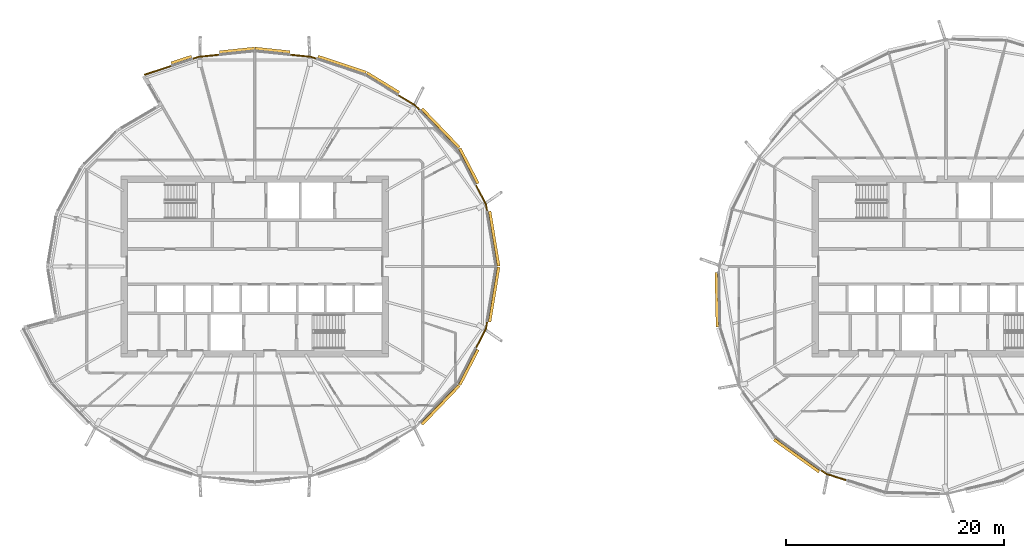
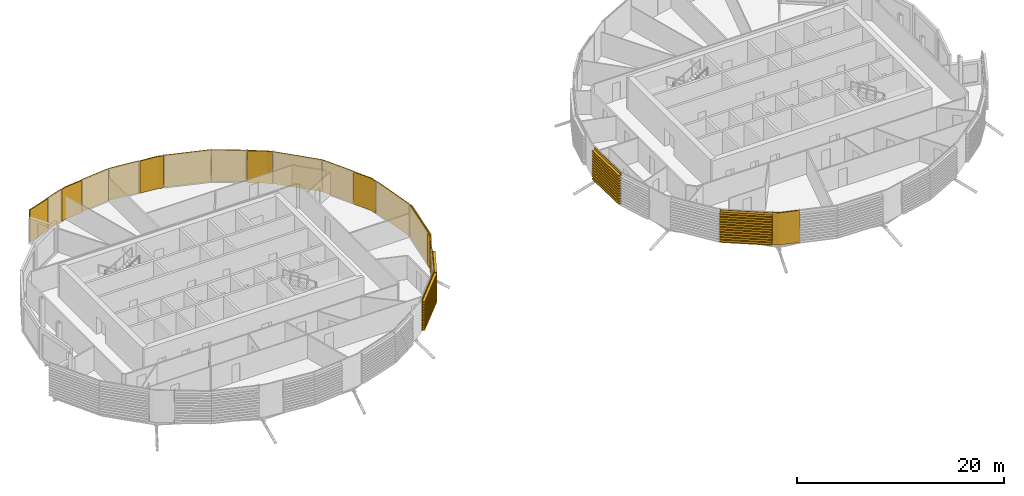
# One storey, part 33 of 36: 20 coverings.
"""IFC4 building model written with IfcOpenShell, lengths in metres."""

from ifc_helpers import new_model, si_unit, direction, frame, origin, place, context, subcontext, project, spatial, polyline, outline, extrude, material, layer, layer_set, material_profile, profile_set, type_object, element, save


model = new_model("IFC4")

# Units and contexts
model_context = context("Model", 3, precision=1e-05, world=origin(), true_north=direction((0.0, 1.0)))
body_context = subcontext(model_context, "Body", "Model", "MODEL_VIEW")
ifc_project = project(units=[si_unit("LENGTHUNIT", "METRE"), si_unit("AREAUNIT", "SQUARE_METRE"), si_unit("VOLUMEUNIT", "CUBIC_METRE"), si_unit("PLANEANGLEUNIT", "RADIAN"), si_unit("MASSUNIT", "GRAM", prefix="KILO")], contexts=[model_context])

# Site, building, storey
site_placement = place(None, origin())
site = spatial("IfcSite", under=ifc_project, at=site_placement, CompositionType="ELEMENT")
building_placement = place(site_placement, origin())
building = spatial("IfcBuilding", under=site, at=building_placement, Name="Rimbun Link Towers", CompositionType="ELEMENT")
storey_placement = place(building_placement, frame((0.0, 0.0, 174.10009765625)))
storey = spatial("IfcBuildingStorey", under=building, at=storey_placement, Name="L42", CompositionType="ELEMENT", Elevation=174.10009765625)

# Coverings
ifc_material_1 = material(Name="Terracotta", Category="masonry")
ifc_layer = layer(ifc_material_1, 0.1201171875)
ifc_layer_set = layer_set([ifc_layer], Name="LINK PIER terracotta cladding 120")
covering_type_1 = type_object("IfcCoveringType", Name="LINK PIER terracotta cladding 120", PredefinedType="CLADDING", material=ifc_layer_set)
covering_1_placement = place(storey_placement, origin())
element("IfcCovering", 1, at=covering_1_placement, inside=storey, type_object=covering_type_1, Name="LINK PIER cladding", PredefinedType="CLADDING", context=body_context, shape_type="SweptSolid", body=[
    extrude(outline(polyline([(-11.4931640625, 7.470458984375), (-10.56494140625, 5.676513671875), (-10.46435546875, 5.064697265625), (-10.345947265625, 5.084228515625), (-10.449462890625, 5.71484375), (-11.38671875, 7.525634765625), (-11.4931640625, 7.470458984375)])), origin(), (0.0, 0.0, 1.0), 3.7998046875),
])
covering_2_placement = place(storey_placement, origin())
element("IfcCovering", 2, at=covering_2_placement, inside=storey, type_object=covering_type_1, Name="LINK PIER cladding", PredefinedType="CLADDING", context=body_context, shape_type="SweptSolid", body=[
    extrude(outline(polyline([(-18.6123046875, 15.709716796875), (-17.018798828125, 14.731201171875), (-16.624267578125, 14.31982421875), (-16.53759765625, 14.40283203125), (-16.94287109375, 14.825439453125), (-18.549560546875, 15.81201171875), (-18.6123046875, 15.709716796875)])), origin(), (0.0, 0.0, 1.0), 3.7998046875),
])
covering_3_placement = place(storey_placement, origin())
element("IfcCovering", 3, at=covering_3_placement, inside=storey, type_object=covering_type_1, Name="LINK PIER cladding", PredefinedType="CLADDING", context=body_context, shape_type="SweptSolid", body=[
    extrude(outline(polyline([(-28.512939453125, 19.40771484375), (-26.603515625, 19.20654296875), (-26.0625, 19.02734375), (-26.02490234375, 19.14111328125), (-26.578125, 19.324462890625), (-28.50048828125, 19.527099609375), (-28.512939453125, 19.40771484375)])), origin(), (0.0, 0.0, 1.0), 3.7998046875),
])
covering_4_placement = place(storey_placement, origin())
element("IfcCovering", 4, at=covering_4_placement, inside=storey, type_object=covering_type_1, Name="LINK PIER cladding", PredefinedType="CLADDING", context=body_context, shape_type="SweptSolid", body=[
    extrude(outline(polyline([(-41.856201171875, 17.56298828125), (-39.35009765625, 18.3935546875), (-39.387939453125, 18.50732421875), (-41.893798828125, 17.677001953125), (-41.856201171875, 17.56298828125)])), origin(), (0.0, 0.0, 1.0), 3.7998046875),
])
covering_5_placement = place(storey_placement, origin())
element("IfcCovering", 5, at=covering_5_placement, inside=storey, type_object=covering_type_1, Name="LINK PIER cladding", PredefinedType="CLADDING", context=body_context, shape_type="SweptSolid", body=[
    extrude(outline(polyline([(-37.4375, 19.02734375), (-36.896484375, 19.20654296875), (-34.987060546875, 19.40771484375), (-34.99951171875, 19.527099609375), (-36.921875, 19.324462890625), (-37.47509765625, 19.14111328125), (-37.4375, 19.02734375)])), origin(), (0.0, 0.0, 1.0), 3.7998046875),
])
covering_6_placement = place(storey_placement, origin())
element("IfcCovering", 6, at=covering_6_placement, inside=storey, type_object=covering_type_1, Name="LINK PIER cladding", PredefinedType="CLADDING", context=body_context, shape_type="SweptSolid", body=[
    extrude(outline(polyline([(-10.46435546875, -5.064697265625), (-10.56494140625, -5.676513671875), (-11.4931640625, -7.470458984375), (-11.38671875, -7.525634765625), (-10.449462890625, -5.71484375), (-10.345947265625, -5.084228515625), (-10.46435546875, -5.064697265625)])), origin(), (0.0, 0.0, 1.0), 3.7998046875),
])
covering_7_placement = place(storey_placement, origin())
element("IfcCovering", 7, at=covering_7_placement, inside=storey, type_object=covering_type_1, Name="LINK PIER cladding", PredefinedType="CLADDING", context=body_context, shape_type="SweptSolid", body=[
    extrude(outline(polyline([(22.6611328125, -19.591064453125), (20.78369140625, -18.993896484375), (20.280029296875, -18.632568359375), (20.210205078125, -18.72998046875), (20.729248046875, -19.1025390625), (22.624755859375, -19.705322265625), (22.6611328125, -19.591064453125)])), origin(), (0.0, 0.0, 1.0), 3.7998046875),
])
ifc_material_2 = material(Name="Terracotta", Category="masonry")
ifc_material_profile = material_profile(ifc_material_2, outline(polyline([(0.123046875, 0.0), (0.1630859375, 0.0), (0.1630859375, 0.10009765625), (0.423095703125, 0.10009765625), (0.423095703125, 0.219970703125), (0.1630859375, 0.219970703125), (0.1630859375, 0.39990234375), (0.423095703125, 0.39990234375), (0.423095703125, 0.52001953125), (0.1630859375, 0.52001953125), (0.1630859375, 0.699951171875), (0.423095703125, 0.699951171875), (0.423095703125, 0.820068359375), (0.1630859375, 0.820068359375), (0.1630859375, 1.0), (0.423095703125, 1.0), (0.423095703125, 1.1201171875), (0.1630859375, 1.1201171875), (0.1630859375, 1.300048828125), (0.423095703125, 1.300048828125), (0.423095703125, 1.419921875), (0.1630859375, 1.419921875), (0.1630859375, 1.60009765625), (0.423095703125, 1.60009765625), (0.423095703125, 1.719970703125), (0.1630859375, 1.719970703125), (0.1630859375, 1.89990234375), (0.423095703125, 1.89990234375), (0.423095703125, 2.02001953125), (0.1630859375, 2.02001953125), (0.1630859375, 2.199951171875), (0.423095703125, 2.199951171875), (0.423095703125, 2.320068359375), (0.1630859375, 2.320068359375), (0.1630859375, 2.5), (0.423095703125, 2.5), (0.423095703125, 2.6201171875), (0.1630859375, 2.6201171875), (0.1630859375, 2.800048828125), (0.423095703125, 2.800048828125), (0.423095703125, 2.919921875), (0.1630859375, 2.919921875), (0.1630859375, 3.10009765625), (0.423095703125, 3.10009765625), (0.423095703125, 3.219970703125), (0.1630859375, 3.219970703125), (0.1630859375, 3.39990234375), (0.423095703125, 3.39990234375), (0.423095703125, 3.52001953125), (0.1630859375, 3.52001953125), (0.1630859375, 3.800048828125), (0.123046875, 3.800048828125), (0.123046875, 0.0)])), Name="BAGUETTE 120X300")
ifc_profile_set = profile_set([ifc_material_profile], Name="Terracotta")
covering_type_2 = type_object("IfcCoveringType", Name="TERRACOTTA BAGUETTE 120X300 H3800", PredefinedType="CLADDING", material=ifc_profile_set)
covering_8_placement = place(storey_placement, frame((-10.45947265625, 5.03515625, 0.0), z_axis=(0.1622416992, -0.986751048158, 0.0), x_axis=(0.986751048158, 0.1622416992, 0.0)))
element("IfcCovering", 8, at=covering_8_placement, inside=storey, type_object=covering_type_2, Name="TERRACOTTA BAGUETTE", PredefinedType="CLADDING", context=body_context, shape_type="SweptSolid", body=[
    extrude(outline(polyline([(0.123046875, 0.0), (0.1630859375, 0.0), (0.1630859375, 0.10009765625), (0.423095703125, 0.10009765625), (0.423095703125, 0.219970703125), (0.1630859375, 0.219970703125), (0.1630859375, 0.39990234375), (0.423095703125, 0.39990234375), (0.423095703125, 0.52001953125), (0.1630859375, 0.52001953125), (0.1630859375, 0.699951171875), (0.423095703125, 0.699951171875), (0.423095703125, 0.820068359375), (0.1630859375, 0.820068359375), (0.1630859375, 1.0), (0.423095703125, 1.0), (0.423095703125, 1.1201171875), (0.1630859375, 1.1201171875), (0.1630859375, 1.300048828125), (0.423095703125, 1.300048828125), (0.423095703125, 1.419921875), (0.1630859375, 1.419921875), (0.1630859375, 1.60009765625), (0.423095703125, 1.60009765625), (0.423095703125, 1.719970703125), (0.1630859375, 1.719970703125), (0.1630859375, 1.89990234375), (0.423095703125, 1.89990234375), (0.423095703125, 2.02001953125), (0.1630859375, 2.02001953125), (0.1630859375, 2.199951171875), (0.423095703125, 2.199951171875), (0.423095703125, 2.320068359375), (0.1630859375, 2.320068359375), (0.1630859375, 2.5), (0.423095703125, 2.5), (0.423095703125, 2.6201171875), (0.1630859375, 2.6201171875), (0.1630859375, 2.800048828125), (0.423095703125, 2.800048828125), (0.423095703125, 2.919921875), (0.1630859375, 2.919921875), (0.1630859375, 3.10009765625), (0.423095703125, 3.10009765625), (0.423095703125, 3.219970703125), (0.1630859375, 3.219970703125), (0.1630859375, 3.39990234375), (0.423095703125, 3.39990234375), (0.423095703125, 3.52001953125), (0.1630859375, 3.52001953125), (0.1630859375, 3.800048828125), (0.123046875, 3.800048828125), (0.123046875, 0.0)])), origin(), (0.0, 0.0, 1.0), 5.102783203125),
])
covering_9_placement = place(storey_placement, frame((-13.176513671875, 10.723388671875, 0.0), z_axis=(0.459591128129, -0.888130618178, 0.0), x_axis=(0.888130618178, 0.459591128129, 0.0)))
element("IfcCovering", 9, at=covering_9_placement, inside=storey, type_object=covering_type_2, Name="TERRACOTTA BAGUETTE", PredefinedType="CLADDING", context=body_context, shape_type="SweptSolid", body=[
    extrude(outline(polyline([(0.123046875, 0.0), (0.1630859375, 0.0), (0.1630859375, 0.10009765625), (0.423095703125, 0.10009765625), (0.423095703125, 0.219970703125), (0.1630859375, 0.219970703125), (0.1630859375, 0.39990234375), (0.423095703125, 0.39990234375), (0.423095703125, 0.52001953125), (0.1630859375, 0.52001953125), (0.1630859375, 0.699951171875), (0.423095703125, 0.699951171875), (0.423095703125, 0.820068359375), (0.1630859375, 0.820068359375), (0.1630859375, 1.0), (0.423095703125, 1.0), (0.423095703125, 1.1201171875), (0.1630859375, 1.1201171875), (0.1630859375, 1.300048828125), (0.423095703125, 1.300048828125), (0.423095703125, 1.419921875), (0.1630859375, 1.419921875), (0.1630859375, 1.60009765625), (0.423095703125, 1.60009765625), (0.423095703125, 1.719970703125), (0.1630859375, 1.719970703125), (0.1630859375, 1.89990234375), (0.423095703125, 1.89990234375), (0.423095703125, 2.02001953125), (0.1630859375, 2.02001953125), (0.1630859375, 2.199951171875), (0.423095703125, 2.199951171875), (0.423095703125, 2.320068359375), (0.1630859375, 2.320068359375), (0.1630859375, 2.5), (0.423095703125, 2.5), (0.423095703125, 2.6201171875), (0.1630859375, 2.6201171875), (0.1630859375, 2.800048828125), (0.423095703125, 2.800048828125), (0.423095703125, 2.919921875), (0.1630859375, 2.919921875), (0.1630859375, 3.10009765625), (0.423095703125, 3.10009765625), (0.423095703125, 3.219970703125), (0.1630859375, 3.219970703125), (0.1630859375, 3.39990234375), (0.423095703125, 3.39990234375), (0.423095703125, 3.52001953125), (0.1630859375, 3.52001953125), (0.1630859375, 3.800048828125), (0.123046875, 3.800048828125), (0.123046875, 0.0)])), origin(), (0.0, 0.0, 1.0), 3.63232421875),
])
covering_10_placement = place(storey_placement, frame((-16.603515625, 14.298095703125, 0.0), z_axis=(0.692035988, -0.721863000377, 0.0), x_axis=(0.721863000377, 0.692035988, 0.0)))
element("IfcCovering", 10, at=covering_10_placement, inside=storey, type_object=covering_type_2, Name="TERRACOTTA BAGUETTE", PredefinedType="CLADDING", context=body_context, shape_type="SweptSolid", body=[
    extrude(outline(polyline([(0.123046875, 0.0), (0.1630859375, 0.0), (0.1630859375, 0.10009765625), (0.423095703125, 0.10009765625), (0.423095703125, 0.219970703125), (0.1630859375, 0.219970703125), (0.1630859375, 0.39990234375), (0.423095703125, 0.39990234375), (0.423095703125, 0.52001953125), (0.1630859375, 0.52001953125), (0.1630859375, 0.699951171875), (0.423095703125, 0.699951171875), (0.423095703125, 0.820068359375), (0.1630859375, 0.820068359375), (0.1630859375, 1.0), (0.423095703125, 1.0), (0.423095703125, 1.1201171875), (0.1630859375, 1.1201171875), (0.1630859375, 1.300048828125), (0.423095703125, 1.300048828125), (0.423095703125, 1.419921875), (0.1630859375, 1.419921875), (0.1630859375, 1.60009765625), (0.423095703125, 1.60009765625), (0.423095703125, 1.719970703125), (0.1630859375, 1.719970703125), (0.1630859375, 1.89990234375), (0.423095703125, 1.89990234375), (0.423095703125, 2.02001953125), (0.1630859375, 2.02001953125), (0.1630859375, 2.199951171875), (0.423095703125, 2.199951171875), (0.423095703125, 2.320068359375), (0.1630859375, 2.320068359375), (0.1630859375, 2.5), (0.423095703125, 2.5), (0.423095703125, 2.6201171875), (0.1630859375, 2.6201171875), (0.1630859375, 2.800048828125), (0.423095703125, 2.800048828125), (0.423095703125, 2.919921875), (0.1630859375, 2.919921875), (0.1630859375, 3.10009765625), (0.423095703125, 3.10009765625), (0.423095703125, 3.219970703125), (0.1630859375, 3.219970703125), (0.1630859375, 3.39990234375), (0.423095703125, 3.39990234375), (0.423095703125, 3.52001953125), (0.1630859375, 3.52001953125), (0.1630859375, 3.800048828125), (0.123046875, 3.800048828125), (0.123046875, 0.0)])), origin(), (0.0, 0.0, 1.0), 4.9521484375),
])
covering_11_placement = place(storey_placement, frame((-21.615478515625, 17.5537109375, 0.0), z_axis=(0.852164119705, -0.523274605811, 0.0), x_axis=(0.523274605811, 0.852164119705, 0.0)))
element("IfcCovering", 11, at=covering_11_placement, inside=storey, type_object=covering_type_2, Name="TERRACOTTA BAGUETTE", PredefinedType="CLADDING", context=body_context, shape_type="SweptSolid", body=[
    extrude(outline(polyline([(0.123046875, 0.0), (0.1630859375, 0.0), (0.1630859375, 0.10009765625), (0.423095703125, 0.10009765625), (0.423095703125, 0.219970703125), (0.1630859375, 0.219970703125), (0.1630859375, 0.39990234375), (0.423095703125, 0.39990234375), (0.423095703125, 0.52001953125), (0.1630859375, 0.52001953125), (0.1630859375, 0.699951171875), (0.423095703125, 0.699951171875), (0.423095703125, 0.820068359375), (0.1630859375, 0.820068359375), (0.1630859375, 1.0), (0.423095703125, 1.0), (0.423095703125, 1.1201171875), (0.1630859375, 1.1201171875), (0.1630859375, 1.300048828125), (0.423095703125, 1.300048828125), (0.423095703125, 1.419921875), (0.1630859375, 1.419921875), (0.1630859375, 1.60009765625), (0.423095703125, 1.60009765625), (0.423095703125, 1.719970703125), (0.1630859375, 1.719970703125), (0.1630859375, 1.89990234375), (0.423095703125, 1.89990234375), (0.423095703125, 2.02001953125), (0.1630859375, 2.02001953125), (0.1630859375, 2.199951171875), (0.423095703125, 2.199951171875), (0.423095703125, 2.320068359375), (0.1630859375, 2.320068359375), (0.1630859375, 2.5), (0.423095703125, 2.5), (0.423095703125, 2.6201171875), (0.1630859375, 2.6201171875), (0.1630859375, 2.800048828125), (0.423095703125, 2.800048828125), (0.423095703125, 2.919921875), (0.1630859375, 2.919921875), (0.1630859375, 3.10009765625), (0.423095703125, 3.10009765625), (0.423095703125, 3.219970703125), (0.1630859375, 3.219970703125), (0.1630859375, 3.39990234375), (0.423095703125, 3.39990234375), (0.423095703125, 3.52001953125), (0.1630859375, 3.52001953125), (0.1630859375, 3.800048828125), (0.123046875, 3.800048828125), (0.123046875, 0.0)])), origin(), (0.0, 0.0, 1.0), 3.494140625),
])
covering_12_placement = place(storey_placement, frame((-26.033935546875, 19.017822265625, 0.0), z_axis=(0.94924302077, -0.314543617834, 0.0), x_axis=(0.314543617834, 0.94924302077, 0.0)))
element("IfcCovering", 12, at=covering_12_placement, inside=storey, type_object=covering_type_2, Name="TERRACOTTA BAGUETTE", PredefinedType="CLADDING", context=body_context, shape_type="SweptSolid", body=[
    extrude(outline(polyline([(0.123046875, 0.0), (0.1630859375, 0.0), (0.1630859375, 0.10009765625), (0.423095703125, 0.10009765625), (0.423095703125, 0.219970703125), (0.1630859375, 0.219970703125), (0.1630859375, 0.39990234375), (0.423095703125, 0.39990234375), (0.423095703125, 0.52001953125), (0.1630859375, 0.52001953125), (0.1630859375, 0.699951171875), (0.423095703125, 0.699951171875), (0.423095703125, 0.820068359375), (0.1630859375, 0.820068359375), (0.1630859375, 1.0), (0.423095703125, 1.0), (0.423095703125, 1.1201171875), (0.1630859375, 1.1201171875), (0.1630859375, 1.300048828125), (0.423095703125, 1.300048828125), (0.423095703125, 1.419921875), (0.1630859375, 1.419921875), (0.1630859375, 1.60009765625), (0.423095703125, 1.60009765625), (0.423095703125, 1.719970703125), (0.1630859375, 1.719970703125), (0.1630859375, 1.89990234375), (0.423095703125, 1.89990234375), (0.423095703125, 2.02001953125), (0.1630859375, 2.02001953125), (0.1630859375, 2.199951171875), (0.423095703125, 2.199951171875), (0.423095703125, 2.320068359375), (0.1630859375, 2.320068359375), (0.1630859375, 2.5), (0.423095703125, 2.5), (0.423095703125, 2.6201171875), (0.1630859375, 2.6201171875), (0.1630859375, 2.800048828125), (0.423095703125, 2.800048828125), (0.423095703125, 2.919921875), (0.1630859375, 2.919921875), (0.1630859375, 3.10009765625), (0.423095703125, 3.10009765625), (0.423095703125, 3.219970703125), (0.1630859375, 3.219970703125), (0.1630859375, 3.39990234375), (0.423095703125, 3.39990234375), (0.423095703125, 3.52001953125), (0.1630859375, 3.52001953125), (0.1630859375, 3.800048828125), (0.123046875, 3.800048828125), (0.123046875, 0.0)])), origin(), (0.0, 0.0, 1.0), 4.65478515625),
])
for number, where, z_axis, x_axis, name in (
    (13, (-31.75, 19.74853515625, 0.0), (0.994503378528, -0.104704489381, 0.0), (0.104704489381, 0.994503378528, 0.0), "TERRACOTTA BAGUETTE"),
    (14, (-34.95703125, 19.410888671875, 0.0), (0.994503378528, 0.104704489381, 0.0), (-0.104704489381, 0.994503378528, 0.0), "TERRACOTTA BAGUETTE"),
):
    element("IfcCovering", number, at=place(storey_placement, frame(where, z_axis=z_axis, x_axis=x_axis)), inside=storey, type_object=covering_type_2, Name=name, PredefinedType="CLADDING", context=body_context, shape_type="SweptSolid", body=[
        extrude(outline(polyline([(0.123046875, 0.0), (0.1630859375, 0.0), (0.1630859375, 0.10009765625), (0.423095703125, 0.10009765625), (0.423095703125, 0.219970703125), (0.1630859375, 0.219970703125), (0.1630859375, 0.39990234375), (0.423095703125, 0.39990234375), (0.423095703125, 0.52001953125), (0.1630859375, 0.52001953125), (0.1630859375, 0.699951171875), (0.423095703125, 0.699951171875), (0.423095703125, 0.820068359375), (0.1630859375, 0.820068359375), (0.1630859375, 1.0), (0.423095703125, 1.0), (0.423095703125, 1.1201171875), (0.1630859375, 1.1201171875), (0.1630859375, 1.300048828125), (0.423095703125, 1.300048828125), (0.423095703125, 1.419921875), (0.1630859375, 1.419921875), (0.1630859375, 1.60009765625), (0.423095703125, 1.60009765625), (0.423095703125, 1.719970703125), (0.1630859375, 1.719970703125), (0.1630859375, 1.89990234375), (0.423095703125, 1.89990234375), (0.423095703125, 2.02001953125), (0.1630859375, 2.02001953125), (0.1630859375, 2.199951171875), (0.423095703125, 2.199951171875), (0.423095703125, 2.320068359375), (0.1630859375, 2.320068359375), (0.1630859375, 2.5), (0.423095703125, 2.5), (0.423095703125, 2.6201171875), (0.1630859375, 2.6201171875), (0.1630859375, 2.800048828125), (0.423095703125, 2.800048828125), (0.423095703125, 2.919921875), (0.1630859375, 2.919921875), (0.1630859375, 3.10009765625), (0.423095703125, 3.10009765625), (0.423095703125, 3.219970703125), (0.1630859375, 3.219970703125), (0.1630859375, 3.39990234375), (0.423095703125, 3.39990234375), (0.423095703125, 3.52001953125), (0.1630859375, 3.52001953125), (0.1630859375, 3.800048828125), (0.123046875, 3.800048828125), (0.123046875, 0.0)])), origin(), (0.0, 0.0, 1.0), 3.224853515625),
    ])
covering_13_placement = place(storey_placement, frame((-39.32177734375, 18.40283203125, 0.0), z_axis=(0.949231348555, 0.314578840549, 0.0), x_axis=(-0.314578840549, 0.949231348555, 0.0)))
element("IfcCovering", 15, at=covering_13_placement, inside=storey, type_object=covering_type_2, Name="TERRACOTTA BAGUETTE", PredefinedType="CLADDING", context=body_context, shape_type="SweptSolid", body=[
    extrude(outline(polyline([(0.123046875, 0.0), (0.1630859375, 0.0), (0.1630859375, 0.10009765625), (0.423095703125, 0.10009765625), (0.423095703125, 0.219970703125), (0.1630859375, 0.219970703125), (0.1630859375, 0.39990234375), (0.423095703125, 0.39990234375), (0.423095703125, 0.52001953125), (0.1630859375, 0.52001953125), (0.1630859375, 0.699951171875), (0.423095703125, 0.699951171875), (0.423095703125, 0.820068359375), (0.1630859375, 0.820068359375), (0.1630859375, 1.0), (0.423095703125, 1.0), (0.423095703125, 1.1201171875), (0.1630859375, 1.1201171875), (0.1630859375, 1.300048828125), (0.423095703125, 1.300048828125), (0.423095703125, 1.419921875), (0.1630859375, 1.419921875), (0.1630859375, 1.60009765625), (0.423095703125, 1.60009765625), (0.423095703125, 1.719970703125), (0.1630859375, 1.719970703125), (0.1630859375, 1.89990234375), (0.423095703125, 1.89990234375), (0.423095703125, 2.02001953125), (0.1630859375, 2.02001953125), (0.1630859375, 2.199951171875), (0.423095703125, 2.199951171875), (0.423095703125, 2.320068359375), (0.1630859375, 2.320068359375), (0.1630859375, 2.5), (0.423095703125, 2.5), (0.423095703125, 2.6201171875), (0.1630859375, 2.6201171875), (0.1630859375, 2.800048828125), (0.423095703125, 2.800048828125), (0.423095703125, 2.919921875), (0.1630859375, 2.919921875), (0.1630859375, 3.10009765625), (0.423095703125, 3.10009765625), (0.423095703125, 3.219970703125), (0.1630859375, 3.219970703125), (0.1630859375, 3.39990234375), (0.423095703125, 3.39990234375), (0.423095703125, 3.52001953125), (0.1630859375, 3.52001953125), (0.1630859375, 3.800048828125), (0.123046875, 3.800048828125), (0.123046875, 0.0)])), origin(), (0.0, 0.0, 1.0), 1.955078125),
])
covering_14_placement = place(storey_placement, frame((-13.176513671875, -10.723388671875, 0.0), z_axis=(-0.692035988, -0.721863000377, 0.0), x_axis=(0.721863000377, -0.692035988, 0.0)))
element("IfcCovering", 16, at=covering_14_placement, inside=storey, type_object=covering_type_2, Name="TERRACOTTA BAGUETTE", PredefinedType="CLADDING", context=body_context, shape_type="SweptSolid", body=[
    extrude(outline(polyline([(0.123046875, 0.0), (0.1630859375, 0.0), (0.1630859375, 0.10009765625), (0.423095703125, 0.10009765625), (0.423095703125, 0.219970703125), (0.1630859375, 0.219970703125), (0.1630859375, 0.39990234375), (0.423095703125, 0.39990234375), (0.423095703125, 0.52001953125), (0.1630859375, 0.52001953125), (0.1630859375, 0.699951171875), (0.423095703125, 0.699951171875), (0.423095703125, 0.820068359375), (0.1630859375, 0.820068359375), (0.1630859375, 1.0), (0.423095703125, 1.0), (0.423095703125, 1.1201171875), (0.1630859375, 1.1201171875), (0.1630859375, 1.300048828125), (0.423095703125, 1.300048828125), (0.423095703125, 1.419921875), (0.1630859375, 1.419921875), (0.1630859375, 1.60009765625), (0.423095703125, 1.60009765625), (0.423095703125, 1.719970703125), (0.1630859375, 1.719970703125), (0.1630859375, 1.89990234375), (0.423095703125, 1.89990234375), (0.423095703125, 2.02001953125), (0.1630859375, 2.02001953125), (0.1630859375, 2.199951171875), (0.423095703125, 2.199951171875), (0.423095703125, 2.320068359375), (0.1630859375, 2.320068359375), (0.1630859375, 2.5), (0.423095703125, 2.5), (0.423095703125, 2.6201171875), (0.1630859375, 2.6201171875), (0.1630859375, 2.800048828125), (0.423095703125, 2.800048828125), (0.423095703125, 2.919921875), (0.1630859375, 2.919921875), (0.1630859375, 3.10009765625), (0.423095703125, 3.10009765625), (0.423095703125, 3.219970703125), (0.1630859375, 3.219970703125), (0.1630859375, 3.39990234375), (0.423095703125, 3.39990234375), (0.423095703125, 3.52001953125), (0.1630859375, 3.52001953125), (0.1630859375, 3.800048828125), (0.123046875, 3.800048828125), (0.123046875, 0.0)])), origin(), (0.0, 0.0, 1.0), 4.9521484375),
])
covering_15_placement = place(storey_placement, frame((-11.507080078125, -7.497314453125, 0.0), z_axis=(-0.459591128129, -0.888130618178, 0.0), x_axis=(0.888130618178, -0.459591128129, 0.0)))
element("IfcCovering", 17, at=covering_15_placement, inside=storey, type_object=covering_type_2, Name="TERRACOTTA BAGUETTE", PredefinedType="CLADDING", context=body_context, shape_type="SweptSolid", body=[
    extrude(outline(polyline([(0.123046875, 0.0), (0.1630859375, 0.0), (0.1630859375, 0.10009765625), (0.423095703125, 0.10009765625), (0.423095703125, 0.219970703125), (0.1630859375, 0.219970703125), (0.1630859375, 0.39990234375), (0.423095703125, 0.39990234375), (0.423095703125, 0.52001953125), (0.1630859375, 0.52001953125), (0.1630859375, 0.699951171875), (0.423095703125, 0.699951171875), (0.423095703125, 0.820068359375), (0.1630859375, 0.820068359375), (0.1630859375, 1.0), (0.423095703125, 1.0), (0.423095703125, 1.1201171875), (0.1630859375, 1.1201171875), (0.1630859375, 1.300048828125), (0.423095703125, 1.300048828125), (0.423095703125, 1.419921875), (0.1630859375, 1.419921875), (0.1630859375, 1.60009765625), (0.423095703125, 1.60009765625), (0.423095703125, 1.719970703125), (0.1630859375, 1.719970703125), (0.1630859375, 1.89990234375), (0.423095703125, 1.89990234375), (0.423095703125, 2.02001953125), (0.1630859375, 2.02001953125), (0.1630859375, 2.199951171875), (0.423095703125, 2.199951171875), (0.423095703125, 2.320068359375), (0.1630859375, 2.320068359375), (0.1630859375, 2.5), (0.423095703125, 2.5), (0.423095703125, 2.6201171875), (0.1630859375, 2.6201171875), (0.1630859375, 2.800048828125), (0.423095703125, 2.800048828125), (0.423095703125, 2.919921875), (0.1630859375, 2.919921875), (0.1630859375, 3.10009765625), (0.423095703125, 3.10009765625), (0.423095703125, 3.219970703125), (0.1630859375, 3.219970703125), (0.1630859375, 3.39990234375), (0.423095703125, 3.39990234375), (0.423095703125, 3.52001953125), (0.1630859375, 3.52001953125), (0.1630859375, 3.800048828125), (0.123046875, 3.800048828125), (0.123046875, 0.0)])), origin(), (0.0, 0.0, 1.0), 3.63232421875),
])
covering_16_placement = place(storey_placement, frame((-9.631591796875, 0.0, 0.0), z_axis=(-0.1622416992, -0.986751048158, 0.0), x_axis=(0.986751048158, -0.1622416992, 0.0)))
element("IfcCovering", 18, at=covering_16_placement, inside=storey, type_object=covering_type_2, Name="TERRACOTTA BAGUETTE", PredefinedType="CLADDING", context=body_context, shape_type="SweptSolid", body=[
    extrude(outline(polyline([(0.123046875, 0.0), (0.1630859375, 0.0), (0.1630859375, 0.10009765625), (0.423095703125, 0.10009765625), (0.423095703125, 0.219970703125), (0.1630859375, 0.219970703125), (0.1630859375, 0.39990234375), (0.423095703125, 0.39990234375), (0.423095703125, 0.52001953125), (0.1630859375, 0.52001953125), (0.1630859375, 0.699951171875), (0.423095703125, 0.699951171875), (0.423095703125, 0.820068359375), (0.1630859375, 0.820068359375), (0.1630859375, 1.0), (0.423095703125, 1.0), (0.423095703125, 1.1201171875), (0.1630859375, 1.1201171875), (0.1630859375, 1.300048828125), (0.423095703125, 1.300048828125), (0.423095703125, 1.419921875), (0.1630859375, 1.419921875), (0.1630859375, 1.60009765625), (0.423095703125, 1.60009765625), (0.423095703125, 1.719970703125), (0.1630859375, 1.719970703125), (0.1630859375, 1.89990234375), (0.423095703125, 1.89990234375), (0.423095703125, 2.02001953125), (0.1630859375, 2.02001953125), (0.1630859375, 2.199951171875), (0.423095703125, 2.199951171875), (0.423095703125, 2.320068359375), (0.1630859375, 2.320068359375), (0.1630859375, 2.5), (0.423095703125, 2.5), (0.423095703125, 2.6201171875), (0.1630859375, 2.6201171875), (0.1630859375, 2.800048828125), (0.423095703125, 2.800048828125), (0.423095703125, 2.919921875), (0.1630859375, 2.919921875), (0.1630859375, 3.10009765625), (0.423095703125, 3.10009765625), (0.423095703125, 3.219970703125), (0.1630859375, 3.219970703125), (0.1630859375, 3.39990234375), (0.423095703125, 3.39990234375), (0.423095703125, 3.52001953125), (0.1630859375, 3.52001953125), (0.1630859375, 3.800048828125), (0.123046875, 3.800048828125), (0.123046875, 0.0)])), origin(), (0.0, 0.0, 1.0), 5.102783203125),
])
covering_17_placement = place(storey_placement, frame((11.03369140625, -5.55078125, 0.0), z_axis=(-0.021036156337, 0.99977871558, 0.0), x_axis=(-0.99977871558, -0.021036156337, 0.0)))
element("IfcCovering", 19, at=covering_17_placement, inside=storey, type_object=covering_type_2, Name="TERRACOTTA BAGUETTE", PredefinedType="CLADDING", context=body_context, shape_type="SweptSolid", body=[
    extrude(outline(polyline([(0.123046875, 0.0), (0.1630859375, 0.0), (0.1630859375, 0.10009765625), (0.423095703125, 0.10009765625), (0.423095703125, 0.219970703125), (0.1630859375, 0.219970703125), (0.1630859375, 0.39990234375), (0.423095703125, 0.39990234375), (0.423095703125, 0.52001953125), (0.1630859375, 0.52001953125), (0.1630859375, 0.699951171875), (0.423095703125, 0.699951171875), (0.423095703125, 0.820068359375), (0.1630859375, 0.820068359375), (0.1630859375, 1.0), (0.423095703125, 1.0), (0.423095703125, 1.1201171875), (0.1630859375, 1.1201171875), (0.1630859375, 1.300048828125), (0.423095703125, 1.300048828125), (0.423095703125, 1.419921875), (0.1630859375, 1.419921875), (0.1630859375, 1.60009765625), (0.423095703125, 1.60009765625), (0.423095703125, 1.719970703125), (0.1630859375, 1.719970703125), (0.1630859375, 1.89990234375), (0.423095703125, 1.89990234375), (0.423095703125, 2.02001953125), (0.1630859375, 2.02001953125), (0.1630859375, 2.199951171875), (0.423095703125, 2.199951171875), (0.423095703125, 2.320068359375), (0.1630859375, 2.320068359375), (0.1630859375, 2.5), (0.423095703125, 2.5), (0.423095703125, 2.6201171875), (0.1630859375, 2.6201171875), (0.1630859375, 2.800048828125), (0.423095703125, 2.800048828125), (0.423095703125, 2.919921875), (0.1630859375, 2.919921875), (0.1630859375, 3.10009765625), (0.423095703125, 3.10009765625), (0.423095703125, 3.219970703125), (0.1630859375, 3.219970703125), (0.1630859375, 3.39990234375), (0.423095703125, 3.39990234375), (0.423095703125, 3.52001953125), (0.1630859375, 3.52001953125), (0.1630859375, 3.800048828125), (0.123046875, 3.800048828125), (0.123046875, 0.0)])), origin(), (0.0, 0.0, 1.0), 5.002197265625),
])
covering_18_placement = place(storey_placement, frame((20.255615234375, -18.614990234375, 0.0), z_axis=(-0.812470753393, 0.58300195101, 0.0), x_axis=(-0.58300195101, -0.812470753393, 0.0)))
element("IfcCovering", 20, at=covering_18_placement, inside=storey, type_object=covering_type_2, Name="TERRACOTTA BAGUETTE", PredefinedType="CLADDING", context=body_context, shape_type="SweptSolid", body=[
    extrude(outline(polyline([(0.123046875, 0.0), (0.1630859375, 0.0), (0.1630859375, 0.10009765625), (0.423095703125, 0.10009765625), (0.423095703125, 0.219970703125), (0.1630859375, 0.219970703125), (0.1630859375, 0.39990234375), (0.423095703125, 0.39990234375), (0.423095703125, 0.52001953125), (0.1630859375, 0.52001953125), (0.1630859375, 0.699951171875), (0.423095703125, 0.699951171875), (0.423095703125, 0.820068359375), (0.1630859375, 0.820068359375), (0.1630859375, 1.0), (0.423095703125, 1.0), (0.423095703125, 1.1201171875), (0.1630859375, 1.1201171875), (0.1630859375, 1.300048828125), (0.423095703125, 1.300048828125), (0.423095703125, 1.419921875), (0.1630859375, 1.419921875), (0.1630859375, 1.60009765625), (0.423095703125, 1.60009765625), (0.423095703125, 1.719970703125), (0.1630859375, 1.719970703125), (0.1630859375, 1.89990234375), (0.423095703125, 1.89990234375), (0.423095703125, 2.02001953125), (0.1630859375, 2.02001953125), (0.1630859375, 2.199951171875), (0.423095703125, 2.199951171875), (0.423095703125, 2.320068359375), (0.1630859375, 2.320068359375), (0.1630859375, 2.5), (0.423095703125, 2.5), (0.423095703125, 2.6201171875), (0.1630859375, 2.6201171875), (0.1630859375, 2.800048828125), (0.423095703125, 2.800048828125), (0.423095703125, 2.919921875), (0.1630859375, 2.919921875), (0.1630859375, 3.10009765625), (0.423095703125, 3.10009765625), (0.423095703125, 3.219970703125), (0.1630859375, 3.219970703125), (0.1630859375, 3.39990234375), (0.423095703125, 3.39990234375), (0.423095703125, 3.52001953125), (0.1630859375, 3.52001953125), (0.1630859375, 3.800048828125), (0.123046875, 3.800048828125), (0.123046875, 0.0)])), origin(), (0.0, 0.0, 1.0), 5.1025390625),
])

save(model, "model.ifc")
